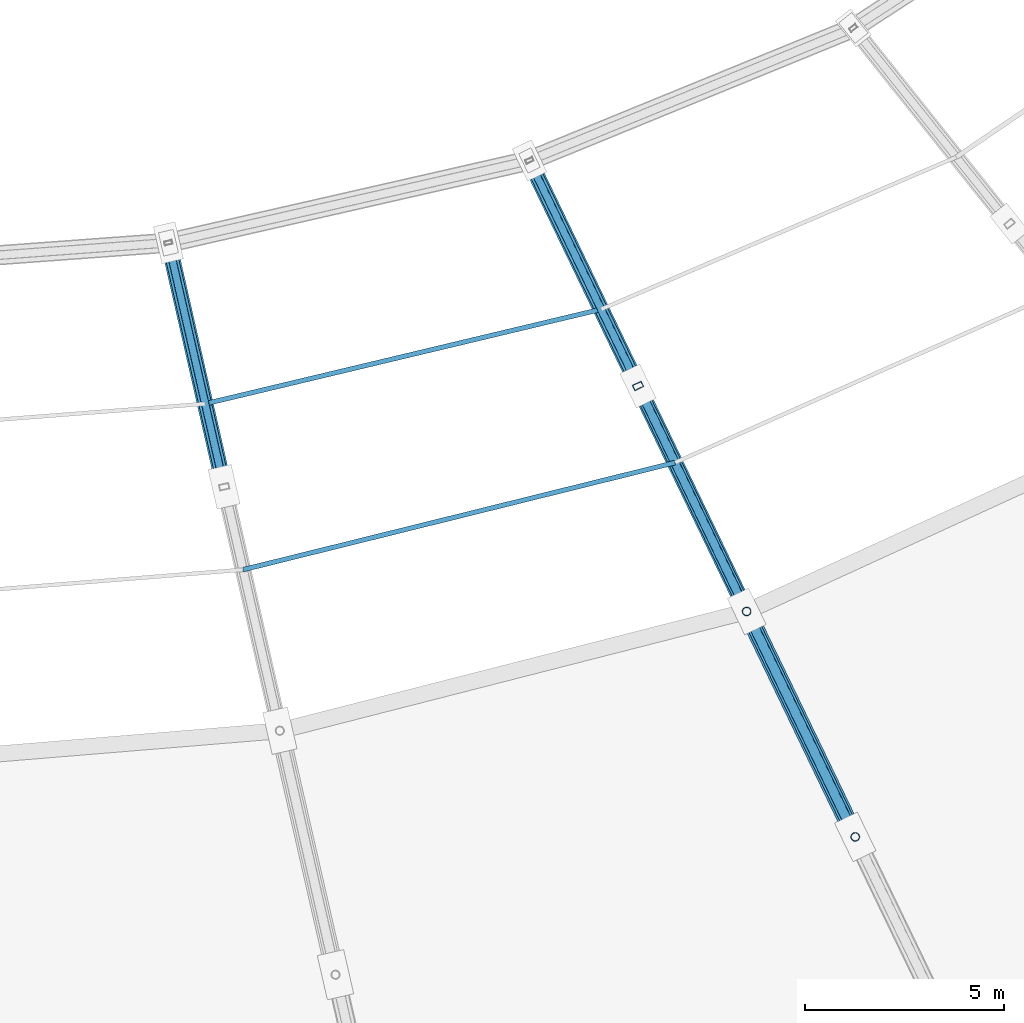
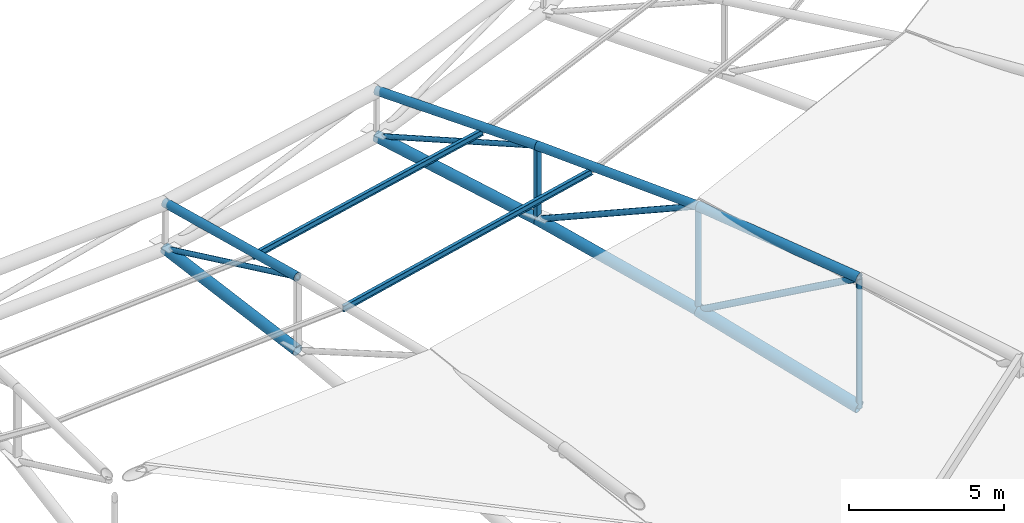
# One storey, part 25 of 108: 17 members.
"""IFC4 building model written with IfcOpenShell, lengths in metres."""

from ifc_helpers import new_model, si_unit, direction, frame, origin, origin_2d, place, context, subcontext, project, spatial, hollow_rectangle, hollow_circle, i_section, extrude, material, material_profile, profile_set, type_object, element, save


model = new_model("IFC4")

# Units and contexts
model_context = context("Model", 3, precision=1e-05, world=origin(), true_north=direction((0.0, 1.0)))
body_context = subcontext(model_context, "Body", "Model", "MODEL_VIEW")
ifc_project = project(units=[si_unit("LENGTHUNIT", "METRE"), si_unit("AREAUNIT", "SQUARE_METRE"), si_unit("VOLUMEUNIT", "CUBIC_METRE"), si_unit("PLANEANGLEUNIT", "RADIAN"), si_unit("MASSUNIT", "GRAM", prefix="KILO")], contexts=[model_context])

# Site, building, storey
site_placement = place(None, origin())
site = spatial("IfcSite", under=ifc_project, at=site_placement, CompositionType="ELEMENT")
building_placement = place(site_placement, origin())
building = spatial("IfcBuilding", under=site, at=building_placement, Name="Zevraka Park Crest Stadium", CompositionType="ELEMENT")
storey_placement = place(building_placement, frame((0.0, 0.0, 29.39990234375)))
storey = spatial("IfcBuildingStorey", under=building, at=storey_placement, Name="RF", CompositionType="ELEMENT", Elevation=29.39990234375)

# Members
ifc_material_1 = material(Name="Steel S355", Category="steel")
ifc_material_profile_1 = material_profile(ifc_material_1, i_section(OverallWidth=0.1201171875, OverallDepth=0.239990234375, WebThickness=0.006103515625, FlangeThickness=0.009765625, at=origin_2d()), Name="IPE 240")
ifc_profile_set_1 = profile_set([ifc_material_profile_1], Name="Steel S355")
member_type_1 = type_object("IfcMemberType", Name="PR01", PredefinedType="PURLIN", material=ifc_profile_set_1)
member_1_placement = place(storey_placement, frame((123.447021484375, 56.471923828125, 9.153076171875), z_axis=(0.970627708153, 0.240586475442, 0.0), x_axis=(-0.240586475442, 0.970627708153, 0.0)))
element("IfcMember", 1, at=member_1_placement, inside=storey, type_object=member_type_1, Name="Canopy Roof Purlin PR01 INNER-23-1", PredefinedType="PURLIN", context=body_context, shape_type="SweptSolid", body=[
    extrude(i_section(OverallWidth=0.1201171875, OverallDepth=0.239990234375, WebThickness=0.006103515625, FlangeThickness=0.009765625, at=origin_2d()), origin(), (0.0, 0.0, 1.0), 11.2021484375),
])
member_2_placement = place(storey_placement, frame((122.492919921875, 60.64794921875, 9.01708984375), z_axis=(0.972678259611, 0.232157281342, 0.0), x_axis=(-0.232157281342, 0.972678259611, 0.0)))
element("IfcMember", 2, at=member_2_placement, inside=storey, type_object=member_type_1, Name="Canopy Roof Purlin PR01 INNER-23-2", PredefinedType="PURLIN", context=body_context, shape_type="SweptSolid", body=[
    extrude(i_section(OverallWidth=0.1201171875, OverallDepth=0.239990234375, WebThickness=0.006103515625, FlangeThickness=0.009765625, at=origin_2d()), origin(), (0.0, 0.0, 1.0), 10.248046875),
])
ifc_material_2 = material(Name="Steel S355", Category="steel")
ifc_material_profile_2 = material_profile(ifc_material_2, hollow_circle(Radius=0.228515625, WallThickness=0.02490234375, at=origin_2d()), Name="CHS 457.0x25")
ifc_profile_set_2 = profile_set([ifc_material_profile_2], Name="Steel S355")
member_type_2 = type_object("IfcMemberType", Name="TC02", PredefinedType="CHORD", material=ifc_profile_set_2)
member_3_placement = place(storey_placement, frame((138.85693359375, 49.7451171875, 3.9501953125), z_axis=(-0.424202357445, 0.880994854912, 0.20952428393), x_axis=(-0.900993814881, -0.433831932372, 0.0)))
element("IfcMember", 3, at=member_3_placement, inside=storey, type_object=member_type_2, Name="Roof Truss Bottom Chord TC02 T24-5", PredefinedType="CHORD", context=body_context, shape_type="SweptSolid", body=[
    extrude(hollow_circle(Radius=0.228515625, WallThickness=0.02490234375, at=origin_2d()), origin(), (0.0, 0.0, 1.0), 6.4423828125),
])
ifc_material_3 = material(Name="Steel S355", Category="steel")
ifc_material_profile_3 = material_profile(ifc_material_3, hollow_circle(Radius=0.203125, WallThickness=0.02001953125, at=origin_2d()), Name="CHS 406.4x20")
ifc_profile_set_3 = profile_set([ifc_material_profile_3], Name="Steel S355")
member_type_3 = type_object("IfcMemberType", Name="TC03", PredefinedType="CHORD", material=ifc_profile_set_3)
member_4_placement = place(storey_placement, frame((122.969970703125, 58.56005859375, 6.400146484375), z_axis=(-0.220750829989, 0.967159287709, 0.125984059539), x_axis=(-0.974927248717, -0.222523840765, 0.0)))
element("IfcMember", 4, at=member_4_placement, inside=storey, type_object=member_type_3, Name="Roof Truss Bottom Chord TC03 T23-7", PredefinedType="CHORD", context=body_context, shape_type="SweptSolid", body=[
    extrude(hollow_circle(Radius=0.203125, WallThickness=0.02001953125, at=origin_2d()), origin(), (0.0, 0.0, 1.0), 6.350341796875),
])
member_5_placement = place(storey_placement, frame((136.1240234375, 55.4208984375, 5.300048828125), z_axis=(-0.427505766927, 0.887497238618, 0.172010088916), x_axis=(-0.900925361812, -0.43397406886, 0.0)))
element("IfcMember", 5, at=member_5_placement, inside=storey, type_object=member_type_3, Name="Roof Truss Bottom Chord TC03 T24-6", PredefinedType="CHORD", context=body_context, shape_type="SweptSolid", body=[
    extrude(hollow_circle(Radius=0.203125, WallThickness=0.02001953125, at=origin_2d()), origin(), (0.0, 0.0, 1.0), 6.3955078125),
])
member_6_placement = place(storey_placement, frame((133.389892578125, 61.096923828125, 6.400146484375), z_axis=(-0.430360126312, 0.89382192037, 0.125986254594), x_axis=(-0.901001108726, -0.433816783994, 0.0)))
element("IfcMember", 6, at=member_6_placement, inside=storey, type_object=member_type_3, Name="Roof Truss Bottom Chord TC03 T24-7", PredefinedType="CHORD", context=body_context, shape_type="SweptSolid", body=[
    extrude(hollow_circle(Radius=0.203125, WallThickness=0.02001953125, at=origin_2d()), origin(), (0.0, 0.0, 1.0), 6.350341796875),
])
ifc_material_4 = material(Name="Steel S355", Category="steel")
ifc_material_profile_4 = material_profile(ifc_material_4, hollow_circle(Radius=0.161865234375, WallThickness=0.01611328125, at=origin_2d()), Name="CHS 323.9x16")
ifc_profile_set_4 = profile_set([ifc_material_profile_4], Name="Steel S355")
member_type_4 = type_object("IfcMemberType", Name="TC04", PredefinedType="CHORD", material=ifc_profile_set_4)
member_7_placement = place(storey_placement, frame((122.969970703125, 58.56005859375, 9.300048828125), z_axis=(-0.222271876519, 0.973823336396, -0.04757438806), x_axis=(-0.974927248717, -0.222523840765, 0.0)))
element("IfcMember", 7, at=member_7_placement, inside=storey, type_object=member_type_4, Name="Roof Truss Top Chord TC04 T23-7", PredefinedType="CHORD", context=body_context, shape_type="SweptSolid", body=[
    extrude(hollow_circle(Radius=0.161865234375, WallThickness=0.01611328125, at=origin_2d()), origin(), (0.0, 0.0, 1.0), 6.306884765625),
])
member_8_placement = place(storey_placement, frame((136.1240234375, 55.4208984375, 9.400146484375), z_axis=(-0.433919305719, 0.900811674136, -0.015885964403), x_axis=(-0.900925361812, -0.43397406886, 0.0)))
element("IfcMember", 8, at=member_8_placement, inside=storey, type_object=member_type_4, Name="Roof Truss Top Chord TC04 T24-6", PredefinedType="CHORD", context=body_context, shape_type="SweptSolid", body=[
    extrude(hollow_circle(Radius=0.161865234375, WallThickness=0.01611328125, at=origin_2d()), origin(), (0.0, 0.0, 1.0), 6.301025390625),
])
member_9_placement = place(storey_placement, frame((133.389892578125, 61.096923828125, 9.300048828125), z_axis=(-0.433325554908, 0.899980867077, -0.047575228424), x_axis=(-0.901001108726, -0.433816783994, 0.0)))
element("IfcMember", 9, at=member_9_placement, inside=storey, type_object=member_type_4, Name="Roof Truss Top Chord TC04 T24-7", PredefinedType="CHORD", context=body_context, shape_type="SweptSolid", body=[
    extrude(hollow_circle(Radius=0.161865234375, WallThickness=0.01611328125, at=origin_2d()), origin(), (0.0, 0.0, 1.0), 6.306884765625),
])
ifc_material_5 = material(Name="Steel S355", Category="steel")
ifc_material_profile_5 = material_profile(ifc_material_5, hollow_circle(Radius=0.177734375, WallThickness=0.01611328125, at=origin_2d()), Name="CHS 355.6x16")
ifc_profile_set_5 = profile_set([ifc_material_profile_5], Name="Steel S355")
member_type_5 = type_object("IfcMemberType", Name="TC05", PredefinedType="CHORD", material=ifc_profile_set_5)
member_10_placement = place(storey_placement, frame((138.85693359375, 49.7451171875, 9.050048828125), z_axis=(-0.433163499766, 0.899605596083, 0.055490124948), x_axis=(-0.900993814881, -0.433831932372, 0.0)))
element("IfcMember", 10, at=member_10_placement, inside=storey, type_object=member_type_5, Name="Roof Truss Top Chord TC05 T24-5", PredefinedType="CHORD", context=body_context, shape_type="SweptSolid", body=[
    extrude(hollow_circle(Radius=0.177734375, WallThickness=0.01611328125, at=origin_2d()), origin(), (0.0, 0.0, 1.0), 6.30908203125),
])
ifc_material_6 = material(Name="Steel S355", Category="steel")
ifc_material_profile_6 = material_profile(ifc_material_6, hollow_circle(Radius=0.109619140625, WallThickness=0.010009765625, at=origin_2d()), Name="CHS 219.1x10")
ifc_profile_set_6 = profile_set([ifc_material_profile_6], Name="Steel S355")
member_type_6 = type_object("IfcMemberType", Name="WB02", PredefinedType="BRACE", material=ifc_profile_set_6)
member_11_placement = place(storey_placement, frame((138.85693359375, 49.7451171875, 3.9501953125), z_axis=(0.0, 0.0, 1.0), x_axis=(-0.43381634559, 0.90100131981, 0.0)))
element("IfcMember", 11, at=member_11_placement, inside=storey, type_object=member_type_6, Name="Roof Truss Web Post WB02 T24-4", PredefinedType="BRACE", context=body_context, shape_type="SweptSolid", body=[
    extrude(hollow_circle(Radius=0.109619140625, WallThickness=0.010009765625, at=origin_2d()), origin(), (0.0, 0.0, 1.0), 5.099853515625),
])
member_12_placement = place(storey_placement, frame((136.1240234375, 55.4208984375, 5.300048828125), z_axis=(0.0, 0.0, 1.0), x_axis=(-0.43381634559, 0.90100131981, 0.0)))
element("IfcMember", 12, at=member_12_placement, inside=storey, type_object=member_type_6, Name="Roof Truss Web Post WB02 T24-5", PredefinedType="BRACE", context=body_context, shape_type="SweptSolid", body=[
    extrude(hollow_circle(Radius=0.109619140625, WallThickness=0.010009765625, at=origin_2d()), origin(), (0.0, 0.0, 1.0), 4.10009765625),
])
member_13_placement = place(storey_placement, frame((133.389892578125, 61.096923828125, 6.400146484375), z_axis=(0.391820548902, -0.813415121121, 0.429921502358), x_axis=(0.900925361812, 0.43397406886, 0.0)))
element("IfcMember", 13, at=member_13_placement, inside=storey, type_object=member_type_6, Name="Roof Truss Web Diagonal WB02 T24-6", PredefinedType="BRACE", context=body_context, shape_type="SweptSolid", body=[
    extrude(hollow_circle(Radius=0.109619140625, WallThickness=0.010009765625, at=origin_2d()), origin(), (0.0, 0.0, 1.0), 6.97802734375),
])
ifc_material_7 = material(Name="Steel S355", Category="steel")
ifc_material_profile_7 = material_profile(ifc_material_7, hollow_rectangle(XDim=0.14990234375, YDim=0.25, WallThickness=0.010009765625, at=origin_2d()), Name="RHS 250x150x10")
ifc_profile_set_7 = profile_set([ifc_material_profile_7], Name="Steel S355")
member_type_7 = type_object("IfcMemberType", Name="WB04", PredefinedType="BRACE", material=ifc_profile_set_7)
member_14_placement = place(storey_placement, frame((133.389892578125, 61.096923828125, 6.400146484375), z_axis=(0.0, 0.0, 1.0), x_axis=(-0.43381634559, 0.90100131981, 0.0)))
element("IfcMember", 14, at=member_14_placement, inside=storey, type_object=member_type_7, Name="Roof Truss Web Post WB04 T24-6", PredefinedType="BRACE", context=body_context, shape_type="SweptSolid", body=[
    extrude(hollow_rectangle(XDim=0.14990234375, YDim=0.25, WallThickness=0.010009765625, at=origin_2d()), origin(), (0.0, 0.0, 1.0), 2.89990234375),
])
ifc_material_8 = material(Name="Steel S355", Category="steel")
ifc_material_profile_8 = material_profile(ifc_material_8, hollow_circle(Radius=0.122314453125, WallThickness=0.012451171875, at=origin_2d()), Name="CHS 244.5x12.5")
ifc_profile_set_8 = profile_set([ifc_material_profile_8], Name="Steel S355")
member_type_8 = type_object("IfcMemberType", Name="WB07", PredefinedType="BRACE", material=ifc_profile_set_8)
member_15_placement = place(storey_placement, frame((136.1240234375, 55.4208984375, 5.300048828125), z_axis=(0.372780448281, -0.774200452173, 0.511515783955), x_axis=(0.900993814881, 0.433831932372, 0.0)))
element("IfcMember", 15, at=member_15_placement, inside=storey, type_object=member_type_8, Name="Roof Truss Web Diagonal WB07 T24-5", PredefinedType="BRACE", context=body_context, shape_type="SweptSolid", body=[
    extrude(hollow_circle(Radius=0.122314453125, WallThickness=0.012451171875, at=origin_2d()), origin(), (0.0, 0.0, 1.0), 7.3310546875),
])
ifc_material_9 = material(Name="Steel S355", Category="steel")
ifc_material_profile_9 = material_profile(ifc_material_9, hollow_circle(Radius=0.096923828125, WallThickness=0.010009765625, at=origin_2d()), Name="CHS 193.7x10")
ifc_profile_set_9 = profile_set([ifc_material_profile_9], Name="Steel S355")
member_type_9 = type_object("IfcMemberType", Name="WB08", PredefinedType="BRACE", material=ifc_profile_set_9)
member_16_placement = place(storey_placement, frame((121.568115234375, 64.701904296875, 7.2001953125), z_axis=(0.21110545018, -0.924900698394, 0.316216993556), x_axis=(0.974927248717, 0.222523840765, 0.0)))
element("IfcMember", 16, at=member_16_placement, inside=storey, type_object=member_type_9, Name="Roof Truss Web Diagonal WB08 T23-7", PredefinedType="BRACE", context=body_context, shape_type="SweptSolid", body=[
    extrude(hollow_circle(Radius=0.096923828125, WallThickness=0.010009765625, at=origin_2d()), origin(), (0.0, 0.0, 1.0), 6.640625),
])
member_17_placement = place(storey_placement, frame((130.656982421875, 66.77294921875, 7.2001953125), z_axis=(0.411555566532, -0.854766425433, 0.316222032137), x_axis=(0.901001108726, 0.433816783994, 0.0)))
element("IfcMember", 17, at=member_17_placement, inside=storey, type_object=member_type_9, Name="Roof Truss Web Diagonal WB08 T24-7", PredefinedType="BRACE", context=body_context, shape_type="SweptSolid", body=[
    extrude(hollow_circle(Radius=0.096923828125, WallThickness=0.010009765625, at=origin_2d()), origin(), (0.0, 0.0, 1.0), 6.640380859375),
])

save(model, "model.ifc")
